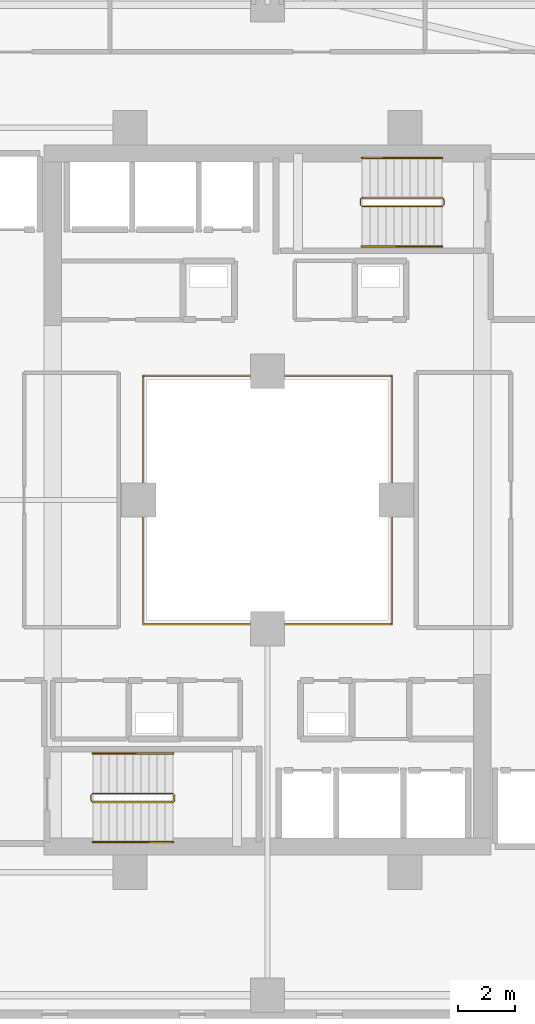
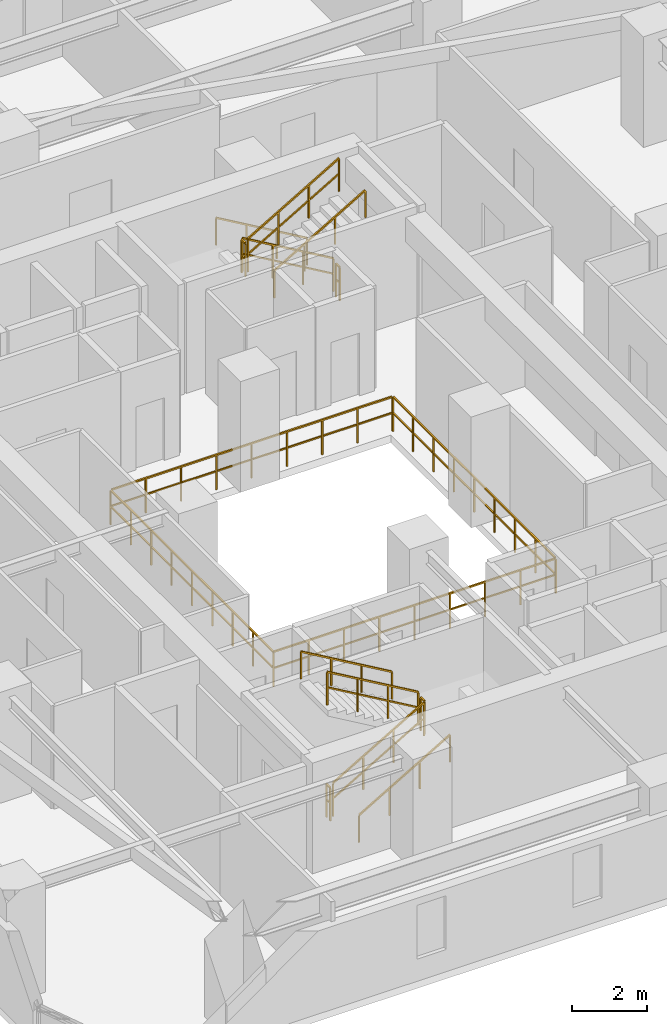
# One storey, part 28 of 31: 13 railings.
"""IFC4 building model written with IfcOpenShell, lengths in metres."""

from ifc_helpers import new_model, si_unit, direction, frame, origin, origin_2d, place, context, subcontext, project, spatial, rectangle, extrude, material, type_object, element, save


model = new_model("IFC4")

# Units and contexts
model_context = context("Model", 3, precision=1e-05, world=origin(), true_north=direction((0.0, 1.0)))
body_context = subcontext(model_context, "Body", "Model", "MODEL_VIEW")
ifc_project = project(units=[si_unit("LENGTHUNIT", "METRE"), si_unit("AREAUNIT", "SQUARE_METRE"), si_unit("VOLUMEUNIT", "CUBIC_METRE"), si_unit("PLANEANGLEUNIT", "RADIAN"), si_unit("MASSUNIT", "GRAM", prefix="KILO")], contexts=[model_context])

# Site, building, storey
site_placement = place(None, origin())
site = spatial("IfcSite", under=ifc_project, at=site_placement, CompositionType="ELEMENT")
building_placement = place(site_placement, origin())
building = spatial("IfcBuilding", under=site, at=building_placement, Name="Thornwick Lancets Civic Towers", CompositionType="ELEMENT")
storey_placement = place(building_placement, frame((0.0, 0.0, 90.89990234375)))
storey = spatial("IfcBuildingStorey", under=building, at=storey_placement, Name="L23", CompositionType="ELEMENT", Elevation=90.89990234375)

# Railings
ifc_material_1 = material(Name="Laminated glass and bronze steel S355", Category="steel")
railing_type_1 = type_object("IfcRailingType", Name="RAIL_ATRIUM_GUARD", PredefinedType="BALUSTRADE", material=ifc_material_1)
railing_1_placement = place(storey_placement, frame((21.159912109375, 22.659912109375, 0.0)))
element("IfcRailing", 1, at=railing_1_placement, inside=storey, type_object=railing_type_1, Name="L23 Tower A Central Atrium Guard Balustrade", PredefinedType="BALUSTRADE", context=body_context, shape_type="SweptSolid", body=[
    extrude(rectangle(XDim=0.048095703125, YDim=0.048095703125, at=origin_2d()), frame((0.0, 0.0, 1.1259765625), z_axis=(1.0, 0.0, 0.0), x_axis=(0.0, 1.0, 0.0)), (0.0, 0.0, 1.0), 8.64892578125),
    extrude(rectangle(XDim=0.0419921875, YDim=0.0419921875, at=origin_2d()), frame((0.03759765625, 0.0, 0.597900390625), z_axis=(1.0, 0.0, 0.0), x_axis=(0.0, 1.0, 0.0)), (0.0, 0.0, 1.0), 1.010009765625),
    extrude(rectangle(XDim=0.0419921875, YDim=0.0419921875, at=origin_2d()), frame((1.12255859375, 0.0, 0.597900390625), z_axis=(1.0, 0.0, 0.0), x_axis=(0.0, 1.0, 0.0)), (0.0, 0.0, 1.0), 1.010009765625),
    extrude(rectangle(XDim=0.0419921875, YDim=0.0419921875, at=origin_2d()), frame((2.20751953125, 0.0, 0.597900390625), z_axis=(1.0, 0.0, 0.0), x_axis=(0.0, 1.0, 0.0)), (0.0, 0.0, 1.0), 1.010009765625),
    extrude(rectangle(XDim=0.0419921875, YDim=0.0419921875, at=origin_2d()), frame((3.29248046875, 0.0, 0.597900390625), z_axis=(1.0, 0.0, 0.0), x_axis=(0.0, 1.0, 0.0)), (0.0, 0.0, 1.0), 1.010009765625),
    extrude(rectangle(XDim=0.0419921875, YDim=0.0419921875, at=origin_2d()), frame((4.377685546875, 0.0, 0.597900390625), z_axis=(1.0, 0.0, 0.0), x_axis=(0.0, 1.0, 0.0)), (0.0, 0.0, 1.0), 1.010009765625),
    extrude(rectangle(XDim=0.0419921875, YDim=0.0419921875, at=origin_2d()), frame((5.462646484375, 0.0, 0.597900390625), z_axis=(1.0, 0.0, 0.0), x_axis=(0.0, 1.0, 0.0)), (0.0, 0.0, 1.0), 1.010009765625),
    extrude(rectangle(XDim=0.0419921875, YDim=0.0419921875, at=origin_2d()), frame((6.547607421875, 0.0, 0.597900390625), z_axis=(1.0, 0.0, 0.0), x_axis=(0.0, 1.0, 0.0)), (0.0, 0.0, 1.0), 1.010009765625),
    extrude(rectangle(XDim=0.0419921875, YDim=0.0419921875, at=origin_2d()), frame((7.632568359375, 0.0, 0.597900390625), z_axis=(1.0, 0.0, 0.0), x_axis=(0.0, 1.0, 0.0)), (0.0, 0.0, 1.0), 1.010009765625),
    extrude(rectangle(XDim=0.048095703125, YDim=0.048095703125, at=origin_2d()), frame((8.68017578125, 0.03125, 1.1259765625), z_axis=(0.0, 1.0, 0.0), x_axis=(-1.0, 0.0, 0.0)), (0.0, 0.0, 1.0), 8.61767578125),
    extrude(rectangle(XDim=0.0419921875, YDim=0.0419921875, at=origin_2d()), frame((8.68017578125, 0.03759765625, 0.597900390625), z_axis=(0.0, 1.0, 0.0), x_axis=(-1.0, 0.0, 0.0)), (0.0, 0.0, 1.0), 1.010009765625),
    extrude(rectangle(XDim=0.0419921875, YDim=0.0419921875, at=origin_2d()), frame((8.68017578125, 1.12255859375, 0.597900390625), z_axis=(0.0, 1.0, 0.0), x_axis=(-1.0, 0.0, 0.0)), (0.0, 0.0, 1.0), 1.010009765625),
    extrude(rectangle(XDim=0.0419921875, YDim=0.0419921875, at=origin_2d()), frame((8.68017578125, 2.20751953125, 0.597900390625), z_axis=(0.0, 1.0, 0.0), x_axis=(-1.0, 0.0, 0.0)), (0.0, 0.0, 1.0), 1.010009765625),
    extrude(rectangle(XDim=0.0419921875, YDim=0.0419921875, at=origin_2d()), frame((8.68017578125, 3.29248046875, 0.597900390625), z_axis=(0.0, 1.0, 0.0), x_axis=(-1.0, 0.0, 0.0)), (0.0, 0.0, 1.0), 1.010009765625),
    extrude(rectangle(XDim=0.0419921875, YDim=0.0419921875, at=origin_2d()), frame((8.68017578125, 4.377685546875, 0.597900390625), z_axis=(0.0, 1.0, 0.0), x_axis=(-1.0, 0.0, 0.0)), (0.0, 0.0, 1.0), 1.010009765625),
    extrude(rectangle(XDim=0.0419921875, YDim=0.0419921875, at=origin_2d()), frame((8.68017578125, 5.462646484375, 0.597900390625), z_axis=(0.0, 1.0, 0.0), x_axis=(-1.0, 0.0, 0.0)), (0.0, 0.0, 1.0), 1.010009765625),
    extrude(rectangle(XDim=0.0419921875, YDim=0.0419921875, at=origin_2d()), frame((8.68017578125, 6.547607421875, 0.597900390625), z_axis=(0.0, 1.0, 0.0), x_axis=(-1.0, 0.0, 0.0)), (0.0, 0.0, 1.0), 1.010009765625),
    extrude(rectangle(XDim=0.0419921875, YDim=0.0419921875, at=origin_2d()), frame((8.68017578125, 7.632568359375, 0.597900390625), z_axis=(0.0, 1.0, 0.0), x_axis=(-1.0, 0.0, 0.0)), (0.0, 0.0, 1.0), 1.010009765625),
    extrude(rectangle(XDim=0.048095703125, YDim=0.048095703125, at=origin_2d()), frame((8.64892578125, 8.68017578125, 1.1259765625), z_axis=(-1.0, 0.0, 0.0), x_axis=(0.0, -1.0, 0.0)), (0.0, 0.0, 1.0), 8.61767578125),
    extrude(rectangle(XDim=0.0419921875, YDim=0.0419921875, at=origin_2d()), frame((8.642578125, 8.68017578125, 0.597900390625), z_axis=(-1.0, 0.0, 0.0), x_axis=(0.0, -1.0, 0.0)), (0.0, 0.0, 1.0), 1.010009765625),
    extrude(rectangle(XDim=0.0419921875, YDim=0.0419921875, at=origin_2d()), frame((7.5576171875, 8.68017578125, 0.597900390625), z_axis=(-1.0, 0.0, 0.0), x_axis=(0.0, -1.0, 0.0)), (0.0, 0.0, 1.0), 1.010009765625),
    extrude(rectangle(XDim=0.0419921875, YDim=0.0419921875, at=origin_2d()), frame((6.47265625, 8.68017578125, 0.597900390625), z_axis=(-1.0, 0.0, 0.0), x_axis=(0.0, -1.0, 0.0)), (0.0, 0.0, 1.0), 1.010009765625),
    extrude(rectangle(XDim=0.0419921875, YDim=0.0419921875, at=origin_2d()), frame((5.3876953125, 8.68017578125, 0.597900390625), z_axis=(-1.0, 0.0, 0.0), x_axis=(0.0, -1.0, 0.0)), (0.0, 0.0, 1.0), 1.010009765625),
    extrude(rectangle(XDim=0.0419921875, YDim=0.0419921875, at=origin_2d()), frame((4.302490234375, 8.68017578125, 0.597900390625), z_axis=(-1.0, 0.0, 0.0), x_axis=(0.0, -1.0, 0.0)), (0.0, 0.0, 1.0), 1.010009765625),
    extrude(rectangle(XDim=0.0419921875, YDim=0.0419921875, at=origin_2d()), frame((3.217529296875, 8.68017578125, 0.597900390625), z_axis=(-1.0, 0.0, 0.0), x_axis=(0.0, -1.0, 0.0)), (0.0, 0.0, 1.0), 1.010009765625),
    extrude(rectangle(XDim=0.0419921875, YDim=0.0419921875, at=origin_2d()), frame((2.132568359375, 8.68017578125, 0.597900390625), z_axis=(-1.0, 0.0, 0.0), x_axis=(0.0, -1.0, 0.0)), (0.0, 0.0, 1.0), 1.010009765625),
    extrude(rectangle(XDim=0.0419921875, YDim=0.0419921875, at=origin_2d()), frame((1.047607421875, 8.68017578125, 0.597900390625), z_axis=(-1.0, 0.0, 0.0), x_axis=(0.0, -1.0, 0.0)), (0.0, 0.0, 1.0), 1.010009765625),
    extrude(rectangle(XDim=0.048095703125, YDim=0.048095703125, at=origin_2d()), frame((0.0, 8.64892578125, 1.1259765625), z_axis=(0.0, -1.0, 0.0), x_axis=(1.0, 0.0, 0.0)), (0.0, 0.0, 1.0), 8.64892578125),
    extrude(rectangle(XDim=0.0419921875, YDim=0.0419921875, at=origin_2d()), frame((0.0, 8.642578125, 0.597900390625), z_axis=(0.0, -1.0, 0.0), x_axis=(1.0, 0.0, 0.0)), (0.0, 0.0, 1.0), 1.010009765625),
    extrude(rectangle(XDim=0.0419921875, YDim=0.0419921875, at=origin_2d()), frame((0.0, 7.5576171875, 0.597900390625), z_axis=(0.0, -1.0, 0.0), x_axis=(1.0, 0.0, 0.0)), (0.0, 0.0, 1.0), 1.010009765625),
    extrude(rectangle(XDim=0.0419921875, YDim=0.0419921875, at=origin_2d()), frame((0.0, 6.47265625, 0.597900390625), z_axis=(0.0, -1.0, 0.0), x_axis=(1.0, 0.0, 0.0)), (0.0, 0.0, 1.0), 1.010009765625),
    extrude(rectangle(XDim=0.0419921875, YDim=0.0419921875, at=origin_2d()), frame((0.0, 5.3876953125, 0.597900390625), z_axis=(0.0, -1.0, 0.0), x_axis=(1.0, 0.0, 0.0)), (0.0, 0.0, 1.0), 1.010009765625),
    extrude(rectangle(XDim=0.0419921875, YDim=0.0419921875, at=origin_2d()), frame((0.0, 4.302490234375, 0.597900390625), z_axis=(0.0, -1.0, 0.0), x_axis=(1.0, 0.0, 0.0)), (0.0, 0.0, 1.0), 1.010009765625),
    extrude(rectangle(XDim=0.0419921875, YDim=0.0419921875, at=origin_2d()), frame((0.0, 3.217529296875, 0.597900390625), z_axis=(0.0, -1.0, 0.0), x_axis=(1.0, 0.0, 0.0)), (0.0, 0.0, 1.0), 1.010009765625),
    extrude(rectangle(XDim=0.0419921875, YDim=0.0419921875, at=origin_2d()), frame((0.0, 2.132568359375, 0.597900390625), z_axis=(0.0, -1.0, 0.0), x_axis=(1.0, 0.0, 0.0)), (0.0, 0.0, 1.0), 1.010009765625),
    extrude(rectangle(XDim=0.0419921875, YDim=0.0419921875, at=origin_2d()), frame((0.0, 1.047607421875, 0.597900390625), z_axis=(0.0, -1.0, 0.0), x_axis=(1.0, 0.0, 0.0)), (0.0, 0.0, 1.0), 1.010009765625),
    extrude(rectangle(XDim=0.0419921875, YDim=0.0419921875, at=origin_2d()), origin(), (0.0, 0.0, 1.0), 1.095703125),
    extrude(rectangle(XDim=0.0419921875, YDim=0.0419921875, at=origin_2d()), frame((1.0849609375, 0.0, 0.0)), (0.0, 0.0, 1.0), 1.095703125),
    extrude(rectangle(XDim=0.0419921875, YDim=0.0419921875, at=origin_2d()), frame((2.169921875, 0.0, 0.0)), (0.0, 0.0, 1.0), 1.095703125),
    extrude(rectangle(XDim=0.0419921875, YDim=0.0419921875, at=origin_2d()), frame((3.255126953125, 0.0, 0.0)), (0.0, 0.0, 1.0), 1.095703125),
    extrude(rectangle(XDim=0.0419921875, YDim=0.0419921875, at=origin_2d()), frame((4.340087890625, 0.0, 0.0)), (0.0, 0.0, 1.0), 1.095703125),
    extrude(rectangle(XDim=0.0419921875, YDim=0.0419921875, at=origin_2d()), frame((5.425048828125, 0.0, 0.0)), (0.0, 0.0, 1.0), 1.095703125),
    extrude(rectangle(XDim=0.0419921875, YDim=0.0419921875, at=origin_2d()), frame((6.51025390625, 0.0, 0.0)), (0.0, 0.0, 1.0), 1.095703125),
    extrude(rectangle(XDim=0.0419921875, YDim=0.0419921875, at=origin_2d()), frame((7.59521484375, 0.0, 0.0)), (0.0, 0.0, 1.0), 1.095703125),
    extrude(rectangle(XDim=0.0419921875, YDim=0.0419921875, at=origin_2d()), frame((8.68017578125, 0.0, 0.0)), (0.0, 0.0, 1.0), 1.095703125),
    extrude(rectangle(XDim=0.0419921875, YDim=0.0419921875, at=origin_2d()), frame((8.68017578125, 1.0849609375, 0.0)), (0.0, 0.0, 1.0), 1.095703125),
    extrude(rectangle(XDim=0.0419921875, YDim=0.0419921875, at=origin_2d()), frame((8.68017578125, 2.169921875, 0.0)), (0.0, 0.0, 1.0), 1.095703125),
    extrude(rectangle(XDim=0.0419921875, YDim=0.0419921875, at=origin_2d()), frame((8.68017578125, 3.255126953125, 0.0)), (0.0, 0.0, 1.0), 1.095703125),
    extrude(rectangle(XDim=0.0419921875, YDim=0.0419921875, at=origin_2d()), frame((8.68017578125, 4.340087890625, 0.0)), (0.0, 0.0, 1.0), 1.095703125),
    extrude(rectangle(XDim=0.0419921875, YDim=0.0419921875, at=origin_2d()), frame((8.68017578125, 5.425048828125, 0.0)), (0.0, 0.0, 1.0), 1.095703125),
    extrude(rectangle(XDim=0.0419921875, YDim=0.0419921875, at=origin_2d()), frame((8.68017578125, 6.51025390625, 0.0)), (0.0, 0.0, 1.0), 1.095703125),
    extrude(rectangle(XDim=0.0419921875, YDim=0.0419921875, at=origin_2d()), frame((8.68017578125, 7.59521484375, 0.0)), (0.0, 0.0, 1.0), 1.095703125),
    extrude(rectangle(XDim=0.0419921875, YDim=0.0419921875, at=origin_2d()), frame((8.68017578125, 8.68017578125, 0.0)), (0.0, 0.0, 1.0), 1.095703125),
    extrude(rectangle(XDim=0.0419921875, YDim=0.0419921875, at=origin_2d()), frame((7.59521484375, 8.68017578125, 0.0)), (0.0, 0.0, 1.0), 1.095703125),
    extrude(rectangle(XDim=0.0419921875, YDim=0.0419921875, at=origin_2d()), frame((6.51025390625, 8.68017578125, 0.0)), (0.0, 0.0, 1.0), 1.095703125),
    extrude(rectangle(XDim=0.0419921875, YDim=0.0419921875, at=origin_2d()), frame((5.425048828125, 8.68017578125, 0.0)), (0.0, 0.0, 1.0), 1.095703125),
    extrude(rectangle(XDim=0.0419921875, YDim=0.0419921875, at=origin_2d()), frame((4.340087890625, 8.68017578125, 0.0)), (0.0, 0.0, 1.0), 1.095703125),
    extrude(rectangle(XDim=0.0419921875, YDim=0.0419921875, at=origin_2d()), frame((3.255126953125, 8.68017578125, 0.0)), (0.0, 0.0, 1.0), 1.095703125),
    extrude(rectangle(XDim=0.0419921875, YDim=0.0419921875, at=origin_2d()), frame((2.169921875, 8.68017578125, 0.0)), (0.0, 0.0, 1.0), 1.095703125),
    extrude(rectangle(XDim=0.0419921875, YDim=0.0419921875, at=origin_2d()), frame((1.0849609375, 8.68017578125, 0.0)), (0.0, 0.0, 1.0), 1.095703125),
    extrude(rectangle(XDim=0.0419921875, YDim=0.0419921875, at=origin_2d()), frame((0.0, 8.68017578125, 0.0)), (0.0, 0.0, 1.0), 1.095703125),
    extrude(rectangle(XDim=0.0419921875, YDim=0.0419921875, at=origin_2d()), frame((0.0, 7.59521484375, 0.0)), (0.0, 0.0, 1.0), 1.095703125),
    extrude(rectangle(XDim=0.0419921875, YDim=0.0419921875, at=origin_2d()), frame((0.0, 6.51025390625, 0.0)), (0.0, 0.0, 1.0), 1.095703125),
    extrude(rectangle(XDim=0.0419921875, YDim=0.0419921875, at=origin_2d()), frame((0.0, 5.425048828125, 0.0)), (0.0, 0.0, 1.0), 1.095703125),
    extrude(rectangle(XDim=0.0419921875, YDim=0.0419921875, at=origin_2d()), frame((0.0, 4.340087890625, 0.0)), (0.0, 0.0, 1.0), 1.095703125),
    extrude(rectangle(XDim=0.0419921875, YDim=0.0419921875, at=origin_2d()), frame((0.0, 3.255126953125, 0.0)), (0.0, 0.0, 1.0), 1.095703125),
    extrude(rectangle(XDim=0.0419921875, YDim=0.0419921875, at=origin_2d()), frame((0.0, 2.169921875, 0.0)), (0.0, 0.0, 1.0), 1.095703125),
    extrude(rectangle(XDim=0.0419921875, YDim=0.0419921875, at=origin_2d()), frame((0.0, 1.0849609375, 0.0)), (0.0, 0.0, 1.0), 1.095703125),
])
ifc_material_2 = material(Name="Brushed stainless steel S355", Category="steel")
railing_type_2 = type_object("IfcRailingType", Name="RAIL_HANDRAIL", PredefinedType="HANDRAIL", material=ifc_material_2)
railing_2_placement = place(storey_placement, frame((19.39990234375, 15.050048828125, 0.163818359375)))
element("IfcRailing", 2, at=railing_2_placement, inside=storey, type_object=railing_type_2, Name="L23 ST-A1 stair handrail 1", PredefinedType="HANDRAIL", context=body_context, shape_type="SweptSolid", body=[
    extrude(rectangle(XDim=0.048095703125, YDim=0.048095703125, at=origin_2d()), frame((0.0, 0.0, 0.8857421875), z_axis=(0.863393664356, 0.0, 0.504530851732), x_axis=(0.0, 1.0, 0.0)), (0.0, 0.0, 1.0), 3.2431640625),
    extrude(rectangle(XDim=0.0419921875, YDim=0.0419921875, at=origin_2d()), origin(), (0.0, 0.0, 1.0), 0.855712890625),
    extrude(rectangle(XDim=0.0419921875, YDim=0.0419921875, at=origin_2d()), frame((0.933349609375, 0.0, 0.54541015625)), (0.0, 0.0, 1.0), 0.855712890625),
    extrude(rectangle(XDim=0.0419921875, YDim=0.0419921875, at=origin_2d()), frame((1.86669921875, 0.0, 1.0908203125)), (0.0, 0.0, 1.0), 0.855712890625),
    extrude(rectangle(XDim=0.0419921875, YDim=0.0419921875, at=origin_2d()), frame((2.800048828125, 0.0, 1.63623046875)), (0.0, 0.0, 1.0), 0.855712890625),
])
railing_3_placement = place(storey_placement, frame((22.199951171875, 18.14990234375, 1.963623046875)))
element("IfcRailing", 3, at=railing_3_placement, inside=storey, type_object=railing_type_2, Name="L23 ST-A1 stair handrail 2", PredefinedType="HANDRAIL", context=body_context, shape_type="SweptSolid", body=[
    extrude(rectangle(XDim=0.048095703125, YDim=0.048095703125, at=origin_2d()), frame((0.0, 0.0, 0.8857421875), z_axis=(-0.863360870873, 0.0, 0.504586966384), x_axis=(0.0, -1.0, 0.0)), (0.0, 0.0, 1.0), 3.2431640625),
    extrude(rectangle(XDim=0.0419921875, YDim=0.0419921875, at=origin_2d()), origin(), (0.0, 0.0, 1.0), 0.855712890625),
    extrude(rectangle(XDim=0.0419921875, YDim=0.0419921875, at=origin_2d()), frame((-0.933349609375, 0.0, 0.54541015625)), (0.0, 0.0, 1.0), 0.855712890625),
    extrude(rectangle(XDim=0.0419921875, YDim=0.0419921875, at=origin_2d()), frame((-1.86669921875, 0.0, 1.091064453125)), (0.0, 0.0, 1.0), 0.855712890625),
    extrude(rectangle(XDim=0.0419921875, YDim=0.0419921875, at=origin_2d()), frame((-2.800048828125, 0.0, 1.636474609375)), (0.0, 0.0, 1.0), 0.855712890625),
])
railing_4_placement = place(storey_placement, frame((31.60009765625, 38.949951171875, 0.163818359375)))
element("IfcRailing", 4, at=railing_4_placement, inside=storey, type_object=railing_type_2, Name="L23 ST-A2 stair handrail 1", PredefinedType="HANDRAIL", context=body_context, shape_type="SweptSolid", body=[
    extrude(rectangle(XDim=0.048095703125, YDim=0.048095703125, at=origin_2d()), frame((0.0, 0.0, 0.8857421875), z_axis=(-0.863393664356, 0.0, 0.504530851732), x_axis=(0.0, -1.0, 0.0)), (0.0, 0.0, 1.0), 3.2431640625),
    extrude(rectangle(XDim=0.0419921875, YDim=0.0419921875, at=origin_2d()), origin(), (0.0, 0.0, 1.0), 0.855712890625),
    extrude(rectangle(XDim=0.0419921875, YDim=0.0419921875, at=origin_2d()), frame((-0.933349609375, 0.0, 0.54541015625)), (0.0, 0.0, 1.0), 0.855712890625),
    extrude(rectangle(XDim=0.0419921875, YDim=0.0419921875, at=origin_2d()), frame((-1.86669921875, 0.0, 1.0908203125)), (0.0, 0.0, 1.0), 0.855712890625),
    extrude(rectangle(XDim=0.0419921875, YDim=0.0419921875, at=origin_2d()), frame((-2.800048828125, 0.0, 1.63623046875)), (0.0, 0.0, 1.0), 0.855712890625),
])
railing_5_placement = place(storey_placement, frame((28.800048828125, 35.85009765625, 1.963623046875)))
element("IfcRailing", 5, at=railing_5_placement, inside=storey, type_object=railing_type_2, Name="L23 ST-A2 stair handrail 2", PredefinedType="HANDRAIL", context=body_context, shape_type="SweptSolid", body=[
    extrude(rectangle(XDim=0.048095703125, YDim=0.048095703125, at=origin_2d()), frame((0.0, 0.0, 0.8857421875), z_axis=(0.863360870873, 0.0, 0.504586966384), x_axis=(0.0, 1.0, 0.0)), (0.0, 0.0, 1.0), 3.2431640625),
    extrude(rectangle(XDim=0.0419921875, YDim=0.0419921875, at=origin_2d()), origin(), (0.0, 0.0, 1.0), 0.855712890625),
    extrude(rectangle(XDim=0.0419921875, YDim=0.0419921875, at=origin_2d()), frame((0.933349609375, 0.0, 0.54541015625)), (0.0, 0.0, 1.0), 0.855712890625),
    extrude(rectangle(XDim=0.0419921875, YDim=0.0419921875, at=origin_2d()), frame((1.86669921875, 0.0, 1.091064453125)), (0.0, 0.0, 1.0), 0.855712890625),
    extrude(rectangle(XDim=0.0419921875, YDim=0.0419921875, at=origin_2d()), frame((2.800048828125, 0.0, 1.636474609375)), (0.0, 0.0, 1.0), 0.855712890625),
])
ifc_material_3 = material(Name="Steel S355JR", Category="steel")
railing_type_3 = type_object("IfcRailingType", Name="RAIL_STAIR_GUARD", PredefinedType="GUARDRAIL", material=ifc_material_3)
railing_6_placement = place(storey_placement, frame((19.39990234375, 16.449951171875, 0.163818359375)))
element("IfcRailing", 6, at=railing_6_placement, inside=storey, type_object=railing_type_3, Name="L23 ST-A1 stair guard 1", PredefinedType="GUARDRAIL", context=body_context, shape_type="SweptSolid", body=[
    extrude(rectangle(XDim=0.048095703125, YDim=0.048095703125, at=origin_2d()), frame((0.0, 0.0, 1.076171875), z_axis=(0.863393664356, 0.0, 0.504530851732), x_axis=(0.0, 1.0, 0.0)), (0.0, 0.0, 1.0), 3.2431640625),
    extrude(rectangle(XDim=0.0419921875, YDim=0.0419921875, at=origin_2d()), frame((0.032470703125, 0.0, 0.591064453125), z_axis=(0.863393664356, 0.0, 0.504530851732), x_axis=(0.0, 1.0, 0.0)), (0.0, 0.0, 1.0), 1.006103515625),
    extrude(rectangle(XDim=0.0419921875, YDim=0.0419921875, at=origin_2d()), frame((0.9658203125, 0.0, 1.136474609375), z_axis=(0.863393664356, 0.0, 0.504530851732), x_axis=(0.0, 1.0, 0.0)), (0.0, 0.0, 1.0), 1.006103515625),
    extrude(rectangle(XDim=0.0419921875, YDim=0.0419921875, at=origin_2d()), frame((1.899169921875, 0.0, 1.681884765625), z_axis=(0.863393664356, 0.0, 0.504530851732), x_axis=(0.0, 1.0, 0.0)), (0.0, 0.0, 1.0), 1.006103515625),
    extrude(rectangle(XDim=0.0419921875, YDim=0.0419921875, at=origin_2d()), origin(), (0.0, 0.0, 1.0), 1.0458984375),
    extrude(rectangle(XDim=0.0419921875, YDim=0.0419921875, at=origin_2d()), frame((0.933349609375, 0.0, 0.54541015625)), (0.0, 0.0, 1.0), 1.0458984375),
    extrude(rectangle(XDim=0.0419921875, YDim=0.0419921875, at=origin_2d()), frame((1.86669921875, 0.0, 1.0908203125)), (0.0, 0.0, 1.0), 1.0458984375),
    extrude(rectangle(XDim=0.0419921875, YDim=0.0419921875, at=origin_2d()), frame((2.800048828125, 0.0, 1.63623046875)), (0.0, 0.0, 1.0), 1.0458984375),
])
railing_7_placement = place(storey_placement, frame((22.25, 16.5, 1.800048828125)))
element("IfcRailing", 7, at=railing_7_placement, inside=storey, type_object=railing_type_3, Name="L23 ST-A1 stair guard 2", PredefinedType="GUARDRAIL", context=body_context, shape_type="SweptSolid", body=[
    extrude(rectangle(XDim=0.048095703125, YDim=0.048095703125, at=origin_2d()), frame((0.0, 0.0, 1.076171875), z_axis=(0.0, 1.0, 0.0), x_axis=(-1.0, 0.0, 0.0)), (0.0, 0.0, 1.0), 0.199951171875),
    extrude(rectangle(XDim=0.0419921875, YDim=0.0419921875, at=origin_2d()), frame((0.0, 0.03759765625, 0.572021484375), z_axis=(0.0, 1.0, 0.0), x_axis=(-1.0, 0.0, 0.0)), (0.0, 0.0, 1.0), 0.125),
    extrude(rectangle(XDim=0.0419921875, YDim=0.0419921875, at=origin_2d()), origin(), (0.0, 0.0, 1.0), 1.0458984375),
    extrude(rectangle(XDim=0.0419921875, YDim=0.0419921875, at=origin_2d()), frame((0.0, 0.199951171875, 0.0)), (0.0, 0.0, 1.0), 1.0458984375),
])
railing_8_placement = place(storey_placement, frame((22.199951171875, 16.75, 1.963623046875)))
element("IfcRailing", 8, at=railing_8_placement, inside=storey, type_object=railing_type_3, Name="L23 ST-A1 stair guard 3", PredefinedType="GUARDRAIL", context=body_context, shape_type="SweptSolid", body=[
    extrude(rectangle(XDim=0.048095703125, YDim=0.048095703125, at=origin_2d()), frame((0.0, 0.0, 1.076171875), z_axis=(-0.863360870873, 0.0, 0.504586966384), x_axis=(0.0, -1.0, 0.0)), (0.0, 0.0, 1.0), 3.2431640625),
    extrude(rectangle(XDim=0.0419921875, YDim=0.0419921875, at=origin_2d()), frame((-0.032470703125, 0.0, 0.591064453125), z_axis=(-0.863360870873, 0.0, 0.504586966384), x_axis=(0.0, -1.0, 0.0)), (0.0, 0.0, 1.0), 1.006103515625),
    extrude(rectangle(XDim=0.0419921875, YDim=0.0419921875, at=origin_2d()), frame((-0.9658203125, 0.0, 1.136474609375), z_axis=(-0.863360870873, 0.0, 0.504586966384), x_axis=(0.0, -1.0, 0.0)), (0.0, 0.0, 1.0), 1.006103515625),
    extrude(rectangle(XDim=0.0419921875, YDim=0.0419921875, at=origin_2d()), frame((-1.899169921875, 0.0, 1.681884765625), z_axis=(-0.863360870873, 0.0, 0.504586966384), x_axis=(0.0, -1.0, 0.0)), (0.0, 0.0, 1.0), 1.006103515625),
    extrude(rectangle(XDim=0.0419921875, YDim=0.0419921875, at=origin_2d()), origin(), (0.0, 0.0, 1.0), 1.0458984375),
    extrude(rectangle(XDim=0.0419921875, YDim=0.0419921875, at=origin_2d()), frame((-0.933349609375, 0.0, 0.54541015625)), (0.0, 0.0, 1.0), 1.0458984375),
    extrude(rectangle(XDim=0.0419921875, YDim=0.0419921875, at=origin_2d()), frame((-1.86669921875, 0.0, 1.091064453125)), (0.0, 0.0, 1.0), 1.0458984375),
    extrude(rectangle(XDim=0.0419921875, YDim=0.0419921875, at=origin_2d()), frame((-2.800048828125, 0.0, 1.636474609375)), (0.0, 0.0, 1.0), 1.0458984375),
])
railing_9_placement = place(storey_placement, frame((19.35009765625, 16.5, 0.0)))
element("IfcRailing", 9, at=railing_9_placement, inside=storey, type_object=railing_type_3, Name="L23 ST-A1 stair guard 4", PredefinedType="GUARDRAIL", context=body_context, shape_type="SweptSolid", body=[
    extrude(rectangle(XDim=0.048095703125, YDim=0.048095703125, at=origin_2d()), frame((0.0, 0.0, 1.076171875), z_axis=(0.0, 1.0, 0.0), x_axis=(-1.0, 0.0, 0.0)), (0.0, 0.0, 1.0), 0.199951171875),
    extrude(rectangle(XDim=0.0419921875, YDim=0.0419921875, at=origin_2d()), frame((0.0, 0.03759765625, 0.572021484375), z_axis=(0.0, 1.0, 0.0), x_axis=(-1.0, 0.0, 0.0)), (0.0, 0.0, 1.0), 0.125),
    extrude(rectangle(XDim=0.0419921875, YDim=0.0419921875, at=origin_2d()), origin(), (0.0, 0.0, 1.0), 1.0458984375),
    extrude(rectangle(XDim=0.0419921875, YDim=0.0419921875, at=origin_2d()), frame((0.0, 0.199951171875, 0.0)), (0.0, 0.0, 1.0), 1.0458984375),
])
railing_10_placement = place(storey_placement, frame((31.60009765625, 37.550048828125, 0.163818359375)))
element("IfcRailing", 10, at=railing_10_placement, inside=storey, type_object=railing_type_3, Name="L23 ST-A2 stair guard 1", PredefinedType="GUARDRAIL", context=body_context, shape_type="SweptSolid", body=[
    extrude(rectangle(XDim=0.048095703125, YDim=0.048095703125, at=origin_2d()), frame((0.0, 0.0, 1.076171875), z_axis=(-0.863393664356, 0.0, 0.504530851732), x_axis=(0.0, -1.0, 0.0)), (0.0, 0.0, 1.0), 3.2431640625),
    extrude(rectangle(XDim=0.0419921875, YDim=0.0419921875, at=origin_2d()), frame((-0.032470703125, 0.0, 0.591064453125), z_axis=(-0.863393664356, 0.0, 0.504530851732), x_axis=(0.0, -1.0, 0.0)), (0.0, 0.0, 1.0), 1.006103515625),
    extrude(rectangle(XDim=0.0419921875, YDim=0.0419921875, at=origin_2d()), frame((-0.9658203125, 0.0, 1.136474609375), z_axis=(-0.863393664356, 0.0, 0.504530851732), x_axis=(0.0, -1.0, 0.0)), (0.0, 0.0, 1.0), 1.006103515625),
    extrude(rectangle(XDim=0.0419921875, YDim=0.0419921875, at=origin_2d()), frame((-1.899169921875, 0.0, 1.681884765625), z_axis=(-0.863393664356, 0.0, 0.504530851732), x_axis=(0.0, -1.0, 0.0)), (0.0, 0.0, 1.0), 1.006103515625),
    extrude(rectangle(XDim=0.0419921875, YDim=0.0419921875, at=origin_2d()), origin(), (0.0, 0.0, 1.0), 1.0458984375),
    extrude(rectangle(XDim=0.0419921875, YDim=0.0419921875, at=origin_2d()), frame((-0.933349609375, 0.0, 0.54541015625)), (0.0, 0.0, 1.0), 1.0458984375),
    extrude(rectangle(XDim=0.0419921875, YDim=0.0419921875, at=origin_2d()), frame((-1.86669921875, 0.0, 1.0908203125)), (0.0, 0.0, 1.0), 1.0458984375),
    extrude(rectangle(XDim=0.0419921875, YDim=0.0419921875, at=origin_2d()), frame((-2.800048828125, 0.0, 1.63623046875)), (0.0, 0.0, 1.0), 1.0458984375),
])
railing_11_placement = place(storey_placement, frame((28.75, 37.5, 1.800048828125)))
element("IfcRailing", 11, at=railing_11_placement, inside=storey, type_object=railing_type_3, Name="L23 ST-A2 stair guard 2", PredefinedType="GUARDRAIL", context=body_context, shape_type="SweptSolid", body=[
    extrude(rectangle(XDim=0.048095703125, YDim=0.048095703125, at=origin_2d()), frame((0.0, 0.0, 1.076171875), z_axis=(0.0, -1.0, 0.0), x_axis=(1.0, 0.0, 0.0)), (0.0, 0.0, 1.0), 0.199951171875),
    extrude(rectangle(XDim=0.0419921875, YDim=0.0419921875, at=origin_2d()), frame((0.0, -0.03759765625, 0.572021484375), z_axis=(0.0, -1.0, 0.0), x_axis=(1.0, 0.0, 0.0)), (0.0, 0.0, 1.0), 0.125),
    extrude(rectangle(XDim=0.0419921875, YDim=0.0419921875, at=origin_2d()), origin(), (0.0, 0.0, 1.0), 1.0458984375),
    extrude(rectangle(XDim=0.0419921875, YDim=0.0419921875, at=origin_2d()), frame((0.0, -0.199951171875, 0.0)), (0.0, 0.0, 1.0), 1.0458984375),
])
railing_12_placement = place(storey_placement, frame((28.800048828125, 37.25, 1.963623046875)))
element("IfcRailing", 12, at=railing_12_placement, inside=storey, type_object=railing_type_3, Name="L23 ST-A2 stair guard 3", PredefinedType="GUARDRAIL", context=body_context, shape_type="SweptSolid", body=[
    extrude(rectangle(XDim=0.048095703125, YDim=0.048095703125, at=origin_2d()), frame((0.0, 0.0, 1.076171875), z_axis=(0.863360870873, 0.0, 0.504586966384), x_axis=(0.0, 1.0, 0.0)), (0.0, 0.0, 1.0), 3.2431640625),
    extrude(rectangle(XDim=0.0419921875, YDim=0.0419921875, at=origin_2d()), frame((0.032470703125, 0.0, 0.591064453125), z_axis=(0.863360870873, 0.0, 0.504586966384), x_axis=(0.0, 1.0, 0.0)), (0.0, 0.0, 1.0), 1.006103515625),
    extrude(rectangle(XDim=0.0419921875, YDim=0.0419921875, at=origin_2d()), frame((0.9658203125, 0.0, 1.136474609375), z_axis=(0.863360870873, 0.0, 0.504586966384), x_axis=(0.0, 1.0, 0.0)), (0.0, 0.0, 1.0), 1.006103515625),
    extrude(rectangle(XDim=0.0419921875, YDim=0.0419921875, at=origin_2d()), frame((1.899169921875, 0.0, 1.681884765625), z_axis=(0.863360870873, 0.0, 0.504586966384), x_axis=(0.0, 1.0, 0.0)), (0.0, 0.0, 1.0), 1.006103515625),
    extrude(rectangle(XDim=0.0419921875, YDim=0.0419921875, at=origin_2d()), origin(), (0.0, 0.0, 1.0), 1.0458984375),
    extrude(rectangle(XDim=0.0419921875, YDim=0.0419921875, at=origin_2d()), frame((0.933349609375, 0.0, 0.54541015625)), (0.0, 0.0, 1.0), 1.0458984375),
    extrude(rectangle(XDim=0.0419921875, YDim=0.0419921875, at=origin_2d()), frame((1.86669921875, 0.0, 1.091064453125)), (0.0, 0.0, 1.0), 1.0458984375),
    extrude(rectangle(XDim=0.0419921875, YDim=0.0419921875, at=origin_2d()), frame((2.800048828125, 0.0, 1.636474609375)), (0.0, 0.0, 1.0), 1.0458984375),
])
railing_13_placement = place(storey_placement, frame((31.64990234375, 37.5, 0.0)))
element("IfcRailing", 13, at=railing_13_placement, inside=storey, type_object=railing_type_3, Name="L23 ST-A2 stair guard 4", PredefinedType="GUARDRAIL", context=body_context, shape_type="SweptSolid", body=[
    extrude(rectangle(XDim=0.048095703125, YDim=0.048095703125, at=origin_2d()), frame((0.0, 0.0, 1.076171875), z_axis=(0.0, -1.0, 0.0), x_axis=(1.0, 0.0, 0.0)), (0.0, 0.0, 1.0), 0.199951171875),
    extrude(rectangle(XDim=0.0419921875, YDim=0.0419921875, at=origin_2d()), frame((0.0, -0.03759765625, 0.572021484375), z_axis=(0.0, -1.0, 0.0), x_axis=(1.0, 0.0, 0.0)), (0.0, 0.0, 1.0), 0.125),
    extrude(rectangle(XDim=0.0419921875, YDim=0.0419921875, at=origin_2d()), origin(), (0.0, 0.0, 1.0), 1.0458984375),
    extrude(rectangle(XDim=0.0419921875, YDim=0.0419921875, at=origin_2d()), frame((0.0, -0.199951171875, 0.0)), (0.0, 0.0, 1.0), 1.0458984375),
])

save(model, "model.ifc")
